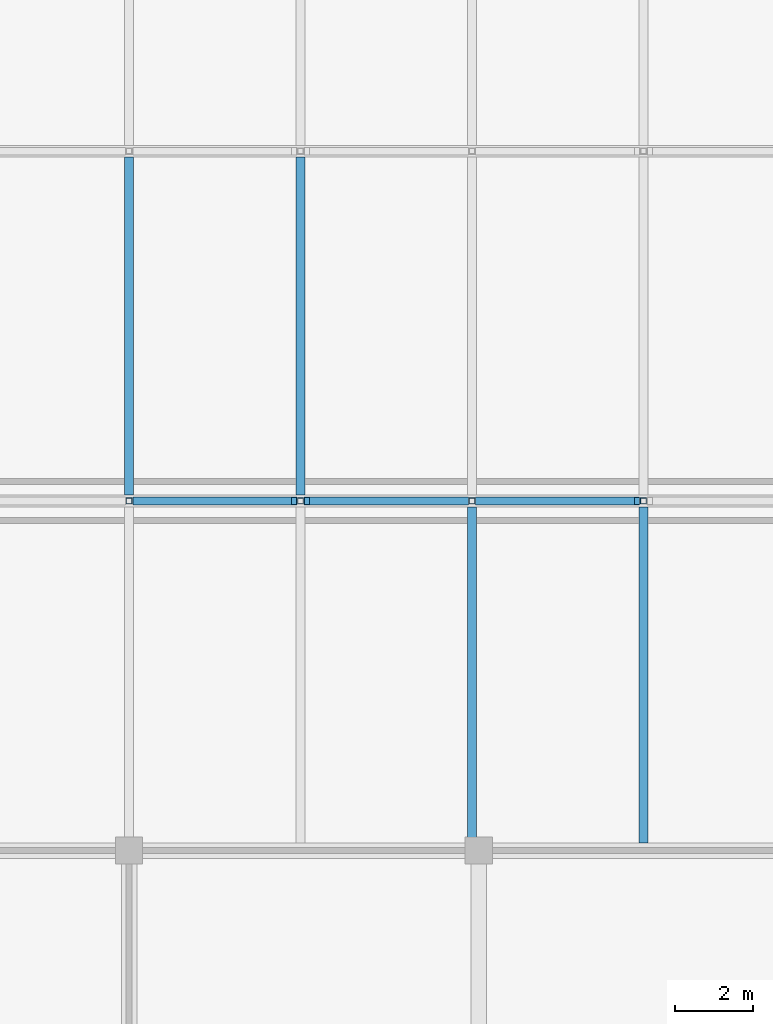
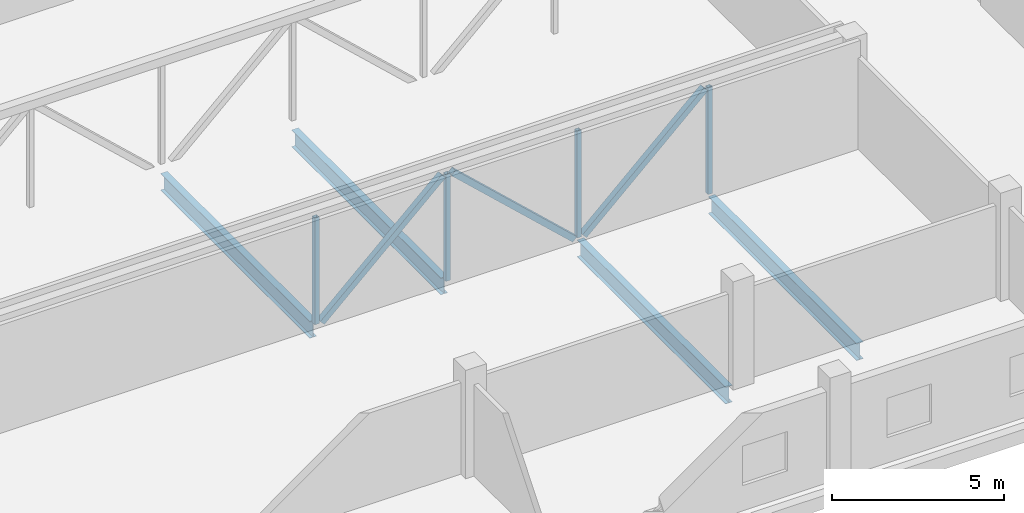
# One storey, part 8 of 42: 7 members, 4 beams.
"""IFC4 building model written with IfcOpenShell, lengths in metres."""

from ifc_helpers import new_model, si_unit, direction, frame, origin, origin_2d, place, context, subcontext, project, spatial, hollow_rectangle, i_section, extrude, material, material_profile, profile_set, type_object, element, save


model = new_model("IFC4")

# Units and contexts
model_context = context("Model", 3, precision=1e-05, world=origin(), true_north=direction((0.0, 1.0)))
body_context = subcontext(model_context, "Body", "Model", "MODEL_VIEW")
ifc_project = project(units=[si_unit("LENGTHUNIT", "METRE"), si_unit("AREAUNIT", "SQUARE_METRE"), si_unit("VOLUMEUNIT", "CUBIC_METRE"), si_unit("PLANEANGLEUNIT", "RADIAN"), si_unit("MASSUNIT", "GRAM", prefix="KILO")], contexts=[model_context])

# Site, building, storey
site_placement = place(None, origin())
site = spatial("IfcSite", under=ifc_project, at=site_placement, CompositionType="ELEMENT")
building_placement = place(site_placement, origin())
building = spatial("IfcBuilding", under=site, at=building_placement, Name="Corbel Stack Research Tower", CompositionType="ELEMENT")
storey_placement = place(building_placement, frame((0.0, 0.0, 11.300048828125)))
storey = spatial("IfcBuildingStorey", under=building, at=storey_placement, Name="L02", CompositionType="ELEMENT", Elevation=11.300048828125)

# Beams
ifc_material_1 = material(Name="Steel S355", Category="steel")
ifc_material_profile_1 = material_profile(ifc_material_1, i_section(OverallWidth=0.22802734375, OverallDepth=0.60302734375, WebThickness=0.010986328125, FlangeThickness=0.014892578125, at=origin_2d()), Name="W24x68")
ifc_profile_set_1 = profile_set([ifc_material_profile_1], Name="Steel S355")
beam_type = type_object("IfcBeamType", Name="HB2 steel beam W24x68", PredefinedType="BEAM", material=ifc_profile_set_1)
for number, where, z_axis, x_axis, name in (
    (1, (77.77490234375, -17.800048828125, -0.551513671875), (0.0, 1.0, 0.0), (-1.0, 0.0, 0.0), "Steel floor beam L02 bay 1 line 6"),
    (2, (82.1875, -17.800048828125, -0.551513671875), (0.0, 1.0, 0.0), (-1.0, 0.0, 0.0), "Steel floor beam L02 bay 1 line 7"),
):
    element("IfcBeam", number, at=place(storey_placement, frame(where, z_axis=z_axis, x_axis=x_axis)), inside=storey, type_object=beam_type, Name=name, PredefinedType="BEAM", context=body_context, shape_type="SweptSolid", body=[
        extrude(i_section(OverallWidth=0.22802734375, OverallDepth=0.60302734375, WebThickness=0.010986328125, FlangeThickness=0.014892578125, at=origin_2d()), origin(), (0.0, 0.0, 1.0), 8.6474609375),
    ])
for number, where, z_axis, x_axis, name in (
    (3, (68.949951171875, -8.847412109375, -0.551513671875), (0.0, 1.0, 0.0), (-1.0, 0.0, 0.0), "Steel floor beam L02 bay 2 line 4"),
    (4, (73.362548828125, -8.847412109375, -0.551513671875), (0.0, 1.0, 0.0), (-1.0, 0.0, 0.0), "Steel floor beam L02 bay 2 line 5"),
):
    element("IfcBeam", number, at=place(storey_placement, frame(where, z_axis=z_axis, x_axis=x_axis)), inside=storey, type_object=beam_type, Name=name, PredefinedType="BEAM", context=body_context, shape_type="SweptSolid", body=[
        extrude(i_section(OverallWidth=0.22802734375, OverallDepth=0.60302734375, WebThickness=0.010986328125, FlangeThickness=0.014892578125, at=origin_2d()), origin(), (0.0, 0.0, 1.0), 8.69482421875),
    ])

# Members
ifc_material_2 = material(Name="Steel S355", Category="steel")
ifc_material_profile_2 = material_profile(ifc_material_2, hollow_rectangle(XDim=0.202880859375, YDim=0.202880859375, WallThickness=0.0087890625, at=origin_2d()), Name="HSS8x8x3/8")
ifc_profile_set_2 = profile_set([ifc_material_profile_2], Name="Steel S355")
member_type_1 = type_object("IfcMemberType", Name="HT2 truss diagonal HSS8x8x3/8", PredefinedType="BRACE", material=ifc_profile_set_2)
member_placement = place(storey_placement, frame((69.114013671875, -9.0, -0.25), z_axis=(0.73259694856, 0.0, 0.680662699845), x_axis=(0.0, 1.0, 0.0)))
element("IfcMember", 5, at=member_placement, inside=storey, type_object=member_type_1, Name="Truss TA1 diagonal 5", PredefinedType="BRACE", context=body_context, shape_type="SweptSolid", body=[
    extrude(hollow_rectangle(XDim=0.202880859375, YDim=0.202880859375, WallThickness=0.0087890625, at=origin_2d()), origin(), (0.0, 0.0, 1.0), 5.575439453125),
])
for number, where, z_axis, x_axis, name in (
    (6, (73.526611328125, -9.0, 3.544921875), (0.732576659872, 0.0, -0.680684535898), (0.0, 1.0, 0.0), "Truss TA1 diagonal 6"),
    (7, (77.939208984375, -9.0, -0.25), (0.732576659872, 0.0, 0.680684535898), (0.0, 1.0, 0.0), "Truss TA1 diagonal 7"),
):
    element("IfcMember", number, at=place(storey_placement, frame(where, z_axis=z_axis, x_axis=x_axis)), inside=storey, type_object=member_type_1, Name=name, PredefinedType="BRACE", context=body_context, shape_type="SweptSolid", body=[
        extrude(hollow_rectangle(XDim=0.202880859375, YDim=0.202880859375, WallThickness=0.0087890625, at=origin_2d()), origin(), (0.0, 0.0, 1.0), 5.5751953125),
    ])
ifc_material_3 = material(Name="Steel S355", Category="steel")
ifc_material_profile_3 = material_profile(ifc_material_3, hollow_rectangle(XDim=0.152099609375, YDim=0.152099609375, WallThickness=0.005859375, at=origin_2d()), Name="HSS6x6x1/4")
ifc_profile_set_3 = profile_set([ifc_material_profile_3], Name="Steel S355")
member_type_2 = type_object("IfcMemberType", Name="HT3 truss post HSS6x6x1/4", PredefinedType="POST", material=ifc_profile_set_3)
for number, where, z_axis, x_axis, name in (
    (8, (68.949951171875, -9.0, -0.25), (0.0, 0.0, 1.0), (1.0, 0.0, 0.0), "Truss TA1 post 5"),
    (9, (73.362548828125, -9.0, -0.25), (0.0, 0.0, 1.0), (1.0, 0.0, 0.0), "Truss TA1 post 6"),
    (10, (77.77490234375, -9.0, -0.25), (0.0, 0.0, 1.0), (1.0, 0.0, 0.0), "Truss TA1 post 7"),
    (11, (82.1875, -9.0, -0.25), (0.0, 0.0, 1.0), (1.0, 0.0, 0.0), "Truss TA1 post 8"),
):
    element("IfcMember", number, at=place(storey_placement, frame(where, z_axis=z_axis, x_axis=x_axis)), inside=storey, type_object=member_type_2, Name=name, PredefinedType="POST", context=body_context, shape_type="SweptSolid", body=[
        extrude(hollow_rectangle(XDim=0.152099609375, YDim=0.152099609375, WallThickness=0.005859375, at=origin_2d()), origin(), (0.0, 0.0, 1.0), 3.794921875),
    ])

save(model, "model.ifc")
